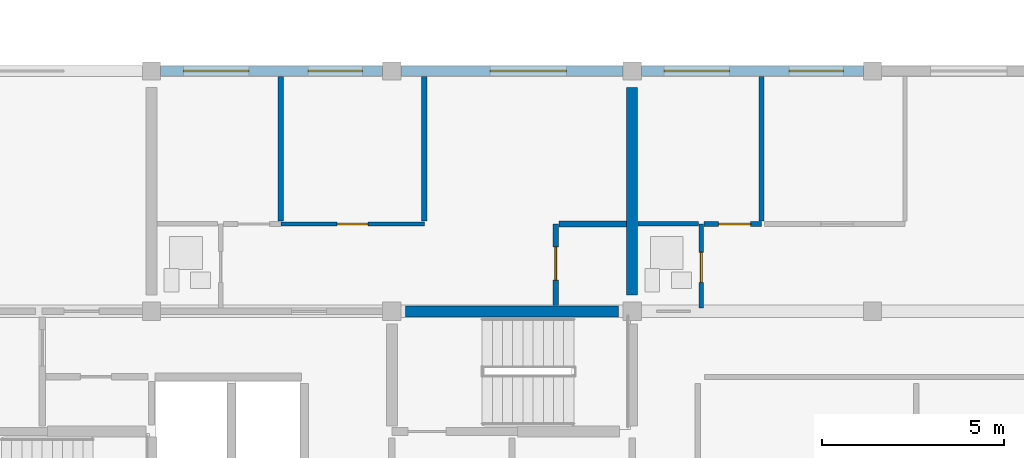
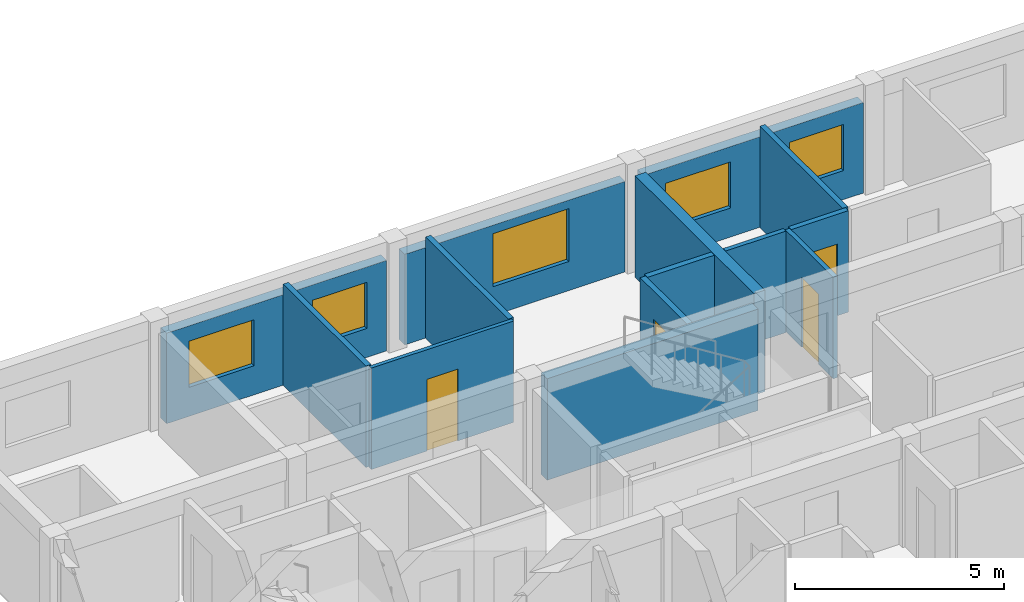
# One storey, part 36 of 46: 14 walls, 5 windows, 4 doors, 9 openings.
"""IFC4 building model written with IfcOpenShell, lengths in metres."""

from ifc_helpers import new_model, si_unit, direction, frame, frame_2d, origin, place, context, subcontext, project, spatial, rectangle, extrude, material, layer, layer_set, type_object, element, fill, save


model = new_model("IFC4")

# Units and contexts
model_context = context("Model", 3, precision=1e-05, world=origin(), true_north=direction((0.0, 1.0)))
body_context = subcontext(model_context, "Body", "Model", "MODEL_VIEW")
ifc_project = project(units=[si_unit("LENGTHUNIT", "METRE"), si_unit("AREAUNIT", "SQUARE_METRE"), si_unit("VOLUMEUNIT", "CUBIC_METRE"), si_unit("PLANEANGLEUNIT", "RADIAN"), si_unit("MASSUNIT", "GRAM", prefix="KILO")], contexts=[model_context])

# Site, building, storey
site_placement = place(None, origin())
site = spatial("IfcSite", under=ifc_project, at=site_placement, CompositionType="ELEMENT")
building_placement = place(site_placement, origin())
building = spatial("IfcBuilding", under=site, at=building_placement, Name="Kernevlak Ridge Housing Community", CompositionType="ELEMENT")
storey_placement = place(building_placement, frame((0.0, 0.0, 27.60009765625)))
storey = spatial("IfcBuildingStorey", under=building, at=storey_placement, Name="L08", CompositionType="ELEMENT", Elevation=27.60009765625)

# Wall, openings, windows
ifc_material_1 = material(Name="Concrete block masonry M10", Category="masonry")
ifc_layer_1 = layer(ifc_material_1, 0.280029296875, Name="Concrete block masonry M10")
ifc_layer_set_1 = layer_set([ifc_layer_1], Name="Concrete block masonry M10")
wall_type_1 = type_object("IfcWallType", Name="EW-03", PredefinedType="STANDARD", material=ifc_layer_set_1)
wall_1_placement = place(storey_placement, frame((126.25, 102.39990234375, 0.0), z_axis=(0.0, 0.0, 1.0), x_axis=(1.0, 0.0, 0.0)))
wall_1 = element("IfcWall", 1, at=wall_1_placement, inside=storey, type_object=wall_type_1, Name="Exterior wall EW-03 L08 425", PredefinedType="STANDARD", context=body_context, shape_type="SweptSolid", body=[
    extrude(rectangle(XDim=6.10009765625, YDim=0.280029296875, at=frame_2d((3.050048828125, 0.0))), origin(), (0.0, 0.0, 1.0), 2.64990234375),
])
opening_1_placement = place(wall_1_placement, frame((0.625, 0.0, 0.85009765625)))
opening_1 = element("IfcOpeningElement", 2, at=opening_1_placement, cuts=wall_1, Name="Opening WT-03", PredefinedType="OPENING", context=body_context, shape_type="SweptSolid", body=[
    extrude(rectangle(XDim=1.800048828125, YDim=1.35009765625, at=frame_2d((0.89990234375, 0.675048828125))), frame((0.0, 0.14990234375, 0.0), z_axis=(0.0, -1.0, 0.0), x_axis=(1.0, 0.0, 0.0)), (0.0, 0.0, 1.0), 0.300048828125),
])
opening_2_placement = place(wall_1_placement, frame((4.050048828125, 0.0, 0.85009765625)))
opening_2 = element("IfcOpeningElement", 3, at=opening_2_placement, cuts=wall_1, Name="Opening WT-02", PredefinedType="OPENING", context=body_context, shape_type="SweptSolid", body=[
    extrude(rectangle(XDim=1.5, YDim=1.35009765625, at=frame_2d((0.75, 0.675048828125))), frame((0.0, 0.14990234375, 0.0), z_axis=(0.0, -1.0, 0.0), x_axis=(1.0, 0.0, 0.0)), (0.0, 0.0, 1.0), 0.300048828125),
])
ifc_material_2 = material(Name="Aluminium EN AW-6060 anodised and laminated glass", Category="aluminium")
window_type_1 = type_object("IfcWindowType", Name="WT-02", PartitioningType="SINGLE_PANEL", PredefinedType="WINDOW", material=ifc_material_2)
window_1_placement = place(opening_2_placement, origin())
window_1 = element("IfcWindow", 4, at=window_1_placement, inside=storey, type_object=window_type_1, Name="Window WT-02 L08 330", OverallHeight=1.35009765625, OverallWidth=1.5, PartitioningType="SINGLE_PANEL", PredefinedType="WINDOW", context=body_context, shape_type="SweptSolid", body=[
    extrude(rectangle(XDim=1.5, YDim=1.35009765625, at=frame_2d((0.75, 0.675048828125))), frame((0.0, 0.030029296875, 0.0), z_axis=(0.0, -1.0, 0.0), x_axis=(1.0, 0.0, 0.0)), (0.0, 0.0, 1.0), 0.06005859375),
])
fill(opening_2, window_1)
window_type_2 = type_object("IfcWindowType", Name="WT-03", PartitioningType="SINGLE_PANEL", PredefinedType="WINDOW", material=ifc_material_2)
window_2_placement = place(opening_1_placement, origin())
window_2 = element("IfcWindow", 5, at=window_2_placement, inside=storey, type_object=window_type_2, Name="Window WT-03 L08 329", OverallHeight=1.35009765625, OverallWidth=1.800048828125, PartitioningType="SINGLE_PANEL", PredefinedType="WINDOW", context=body_context, shape_type="SweptSolid", body=[
    extrude(rectangle(XDim=1.800048828125, YDim=1.35009765625, at=frame_2d((0.89990234375, 0.675048828125))), frame((0.0, 0.030029296875, 0.0), z_axis=(0.0, -1.0, 0.0), x_axis=(1.0, 0.0, 0.0)), (0.0, 0.0, 1.0), 0.06005859375),
])
fill(opening_1, window_2)

# Wall, opening, window
wall_2_placement = place(storey_placement, frame((132.85009765625, 102.39990234375, 0.0), z_axis=(0.0, 0.0, 1.0), x_axis=(1.0, 0.0, 0.0)))
wall_2 = element("IfcWall", 6, at=wall_2_placement, inside=storey, type_object=wall_type_1, Name="Exterior wall EW-03 L08 426", PredefinedType="STANDARD", context=body_context, shape_type="SweptSolid", body=[
    extrude(rectangle(XDim=6.099853515625, YDim=0.280029296875, at=frame_2d((3.0498046875, 0.0))), origin(), (0.0, 0.0, 1.0), 2.64990234375),
])
opening_3_placement = place(wall_2_placement, frame((2.446044921875, 0.0, 0.85009765625)))
opening_3 = element("IfcOpeningElement", 7, at=opening_3_placement, cuts=wall_2, Name="Opening WT-05", PredefinedType="OPENING", context=body_context, shape_type="SweptSolid", body=[
    extrude(rectangle(XDim=2.10009765625, YDim=1.550048828125, at=frame_2d((1.050048828125, 0.77490234375))), frame((0.0, 0.14990234375, 0.0), z_axis=(0.0, -1.0, 0.0), x_axis=(1.0, 0.0, 0.0)), (0.0, 0.0, 1.0), 0.300048828125),
])
window_type_3 = type_object("IfcWindowType", Name="WT-05", PartitioningType="SINGLE_PANEL", PredefinedType="WINDOW", material=ifc_material_2)
window_3_placement = place(opening_3_placement, origin())
window_3 = element("IfcWindow", 8, at=window_3_placement, inside=storey, type_object=window_type_3, Name="Window WT-05 L08 331", OverallHeight=1.550048828125, OverallWidth=2.10009765625, PartitioningType="SINGLE_PANEL", PredefinedType="WINDOW", context=body_context, shape_type="SweptSolid", body=[
    extrude(rectangle(XDim=2.10009765625, YDim=1.550048828125, at=frame_2d((1.050048828125, 0.77490234375))), frame((0.0, 0.030029296875, 0.0), z_axis=(0.0, -1.0, 0.0), x_axis=(1.0, 0.0, 0.0)), (0.0, 0.0, 1.0), 0.06005859375),
])
fill(opening_3, window_3)

# Wall, openings, windows
wall_3_placement = place(storey_placement, frame((139.449951171875, 102.39990234375, 0.0), z_axis=(0.0, 0.0, 1.0), x_axis=(1.0, 0.0, 0.0)))
wall_3 = element("IfcWall", 9, at=wall_3_placement, inside=storey, type_object=wall_type_1, Name="Exterior wall EW-03 L08 427", PredefinedType="STANDARD", context=body_context, shape_type="SweptSolid", body=[
    extrude(rectangle(XDim=6.10009765625, YDim=0.280029296875, at=frame_2d((3.050048828125, 0.0))), origin(), (0.0, 0.0, 1.0), 2.64990234375),
])
opening_4_placement = place(wall_3_placement, frame((0.625, 0.0, 0.85009765625)))
opening_4 = element("IfcOpeningElement", 10, at=opening_4_placement, cuts=wall_3, Name="Opening WT-03", PredefinedType="OPENING", context=body_context, shape_type="SweptSolid", body=[
    extrude(rectangle(XDim=1.800048828125, YDim=1.35009765625, at=frame_2d((0.89990234375, 0.675048828125))), frame((0.0, 0.14990234375, 0.0), z_axis=(0.0, -1.0, 0.0), x_axis=(1.0, 0.0, 0.0)), (0.0, 0.0, 1.0), 0.300048828125),
])
opening_5_placement = place(wall_3_placement, frame((4.050048828125, 0.0, 0.85009765625)))
opening_5 = element("IfcOpeningElement", 11, at=opening_5_placement, cuts=wall_3, Name="Opening WT-02", PredefinedType="OPENING", context=body_context, shape_type="SweptSolid", body=[
    extrude(rectangle(XDim=1.5, YDim=1.35009765625, at=frame_2d((0.75, 0.675048828125))), frame((0.0, 0.14990234375, 0.0), z_axis=(0.0, -1.0, 0.0), x_axis=(1.0, 0.0, 0.0)), (0.0, 0.0, 1.0), 0.300048828125),
])
window_4_placement = place(opening_5_placement, origin())
window_4 = element("IfcWindow", 12, at=window_4_placement, inside=storey, type_object=window_type_1, Name="Window WT-02 L08 333", OverallHeight=1.35009765625, OverallWidth=1.5, PartitioningType="SINGLE_PANEL", PredefinedType="WINDOW", context=body_context, shape_type="SweptSolid", body=[
    extrude(rectangle(XDim=1.5, YDim=1.35009765625, at=frame_2d((0.75, 0.675048828125))), frame((0.0, 0.030029296875, 0.0), z_axis=(0.0, -1.0, 0.0), x_axis=(1.0, 0.0, 0.0)), (0.0, 0.0, 1.0), 0.06005859375),
])
fill(opening_5, window_4)
window_5_placement = place(opening_4_placement, origin())
window_5 = element("IfcWindow", 13, at=window_5_placement, inside=storey, type_object=window_type_2, Name="Window WT-03 L08 332", OverallHeight=1.35009765625, OverallWidth=1.800048828125, PartitioningType="SINGLE_PANEL", PredefinedType="WINDOW", context=body_context, shape_type="SweptSolid", body=[
    extrude(rectangle(XDim=1.800048828125, YDim=1.35009765625, at=frame_2d((0.89990234375, 0.675048828125))), frame((0.0, 0.030029296875, 0.0), z_axis=(0.0, -1.0, 0.0), x_axis=(1.0, 0.0, 0.0)), (0.0, 0.0, 1.0), 0.06005859375),
])
fill(opening_4, window_5)

# Walls
ifc_layer_2 = layer(ifc_material_1, 0.14501953125, Name="Concrete block masonry M10")
ifc_layer_set_2 = layer_set([ifc_layer_2], Name="Concrete block masonry M10")
wall_type_2 = type_object("IfcWallType", Name="PW-03", PredefinedType="PARTITIONING", material=ifc_layer_set_2)
wall_4_placement = place(storey_placement, frame((129.550048828125, 98.282470703125, 0.0), z_axis=(0.0, 0.0, 1.0), x_axis=(0.0, 1.0, 0.0)))
element("IfcWall", 14, at=wall_4_placement, inside=storey, type_object=wall_type_2, Name="Interior wall PW-03 WAL-INT-L08-1690", PredefinedType="PARTITIONING", context=body_context, shape_type="SweptSolid", body=[
    extrude(rectangle(XDim=3.967529296875, YDim=0.14501953125, at=frame_2d((1.98388671875, 0.0))), origin(), (0.0, 0.0, 1.0), 2.969970703125),
])
wall_5_placement = place(storey_placement, frame((133.491943359375, 98.280029296875, 0.0), z_axis=(0.0, 0.0, 1.0), x_axis=(0.0, 1.0, 0.0)))
element("IfcWall", 15, at=wall_5_placement, inside=storey, type_object=wall_type_2, Name="Interior wall PW-03 WAL-INT-L08-1692", PredefinedType="PARTITIONING", context=body_context, shape_type="SweptSolid", body=[
    extrude(rectangle(XDim=3.969970703125, YDim=0.14501953125, at=frame_2d((1.98486328125, 0.0))), origin(), (0.0, 0.0, 1.0), 2.969970703125),
])

# Wall, opening, door
wall_6_placement = place(storey_placement, frame((141.172607421875, 98.199951171875, 0.0), z_axis=(0.0, 0.0, 1.0), x_axis=(1.0, 0.0, 0.0)))
wall_6 = element("IfcWall", 16, at=wall_6_placement, inside=storey, type_object=wall_type_2, Name="Interior wall PW-03 WAL-INT-L08-1698", PredefinedType="PARTITIONING", context=body_context, shape_type="SweptSolid", body=[
    extrude(rectangle(XDim=1.577392578125, YDim=0.14501953125, at=frame_2d((0.78857421875, 0.0))), origin(), (0.0, 0.0, 1.0), 2.969970703125),
])
opening_6_placement = place(wall_6_placement, frame((0.39990234375, 0.0, 0.0)))
opening_6 = element("IfcOpeningElement", 17, at=opening_6_placement, cuts=wall_6, Name="Opening D860", PredefinedType="OPENING", context=body_context, shape_type="SweptSolid", body=[
    extrude(rectangle(XDim=0.8798828125, YDim=2.10009765625, at=frame_2d((0.43994140625, 1.050048828125))), frame((0.0, 0.08251953125, 0.0), z_axis=(0.0, -1.0, 0.0), x_axis=(1.0, 0.0, 0.0)), (0.0, 0.0, 1.0), 0.1650390625),
])
ifc_material_3 = material(Name="Hardwood timber leaf", Category="wood")
door_type_1 = type_object("IfcDoorType", Name="DT-25", OperationType="NOTDEFINED", PredefinedType="DOOR", material=ifc_material_3)
door_1_placement = place(opening_6_placement, origin())
door_1 = element("IfcDoor", 18, at=door_1_placement, inside=storey, type_object=door_type_1, Name="Flat B0823 bedroom door D860", OperationType="SINGLE_SWING_RIGHT", OverallHeight=2.10009765625, OverallWidth=0.8798828125, PredefinedType="DOOR", context=body_context, shape_type="SweptSolid", body=[
    extrude(rectangle(XDim=0.8798828125, YDim=2.10009765625, at=frame_2d((0.43994140625, 1.050048828125))), frame((0.0, 0.02490234375, 0.0), z_axis=(0.0, -1.0, 0.0), x_axis=(1.0, 0.0, 0.0)), (0.0, 0.0, 1.0), 0.050048828125),
])
fill(opening_6, door_1)

# Wall
wall_7_placement = place(storey_placement, frame((142.75, 98.282470703125, 0.0), z_axis=(0.0, 0.0, 1.0), x_axis=(0.0, 1.0, 0.0)))
element("IfcWall", 19, at=wall_7_placement, inside=storey, type_object=wall_type_2, Name="Interior wall PW-03 WAL-INT-L08-1699", PredefinedType="PARTITIONING", context=body_context, shape_type="SweptSolid", body=[
    extrude(rectangle(XDim=3.967529296875, YDim=0.14501953125, at=frame_2d((1.98388671875, 0.0))), origin(), (0.0, 0.0, 1.0), 2.969970703125),
])

# Wall, opening, door
ifc_material_4 = material(Name="Gypsum plasterboard EN 520", Category="gypsum")
ifc_layer_3 = layer(ifc_material_4, 0.125, Name="Gypsum plasterboard EN 520")
ifc_layer_set_3 = layer_set([ifc_layer_3], Name="Gypsum plasterboard EN 520")
wall_type_3 = type_object("IfcWallType", Name="PW-04", PredefinedType="PARTITIONING", material=ifc_layer_set_3)
wall_8_placement = place(storey_placement, frame((141.10009765625, 95.8974609375, 0.0), z_axis=(0.0, 0.0, 1.0), x_axis=(0.0, 1.0, 0.0)))
wall_8 = element("IfcWall", 20, at=wall_8_placement, inside=storey, type_object=wall_type_3, Name="Interior wall PW-04 WAL-INT-L08-1694", PredefinedType="PARTITIONING", context=body_context, shape_type="SweptSolid", body=[
    extrude(rectangle(XDim=2.302490234375, YDim=0.125, at=frame_2d((1.1513671875, 0.0))), origin(), (0.0, 0.0, 1.0), 2.969970703125),
])
opening_7_placement = place(wall_8_placement, frame((0.699951171875, 0.0, 0.0)))
opening_7 = element("IfcOpeningElement", 21, at=opening_7_placement, cuts=wall_8, Name="Opening D858", PredefinedType="OPENING", context=body_context, shape_type="SweptSolid", body=[
    extrude(rectangle(XDim=0.820068359375, YDim=2.050048828125, at=frame_2d((0.41015625, 1.02490234375))), frame((0.0, 0.072509765625, 0.0), z_axis=(0.0, -1.0, 0.0), x_axis=(1.0, 0.0, 0.0)), (0.0, 0.0, 1.0), 0.14501953125),
])
ifc_material_5 = material(Name="Hardwood timber moisture-resistant leaf", Category="wood")
door_type_2 = type_object("IfcDoorType", Name="DT-30", OperationType="NOTDEFINED", PredefinedType="DOOR", material=ifc_material_5)
door_2_placement = place(opening_7_placement, origin())
door_2 = element("IfcDoor", 22, at=door_2_placement, inside=storey, type_object=door_type_2, Name="Flat B0823 bathroom door D858", OperationType="SINGLE_SWING_RIGHT", OverallHeight=2.050048828125, OverallWidth=0.820068359375, PredefinedType="DOOR", context=body_context, shape_type="SweptSolid", body=[
    extrude(rectangle(XDim=0.820068359375, YDim=2.050048828125, at=frame_2d((0.41015625, 1.02490234375))), frame((0.0, 0.02490234375, 0.0), z_axis=(0.0, -1.0, 0.0), x_axis=(1.0, 0.0, 0.0)), (0.0, 0.0, 1.0), 0.050048828125),
])
fill(opening_7, door_2)

# Wall
wall_9_placement = place(storey_placement, frame((139.360107421875, 98.199951171875, 0.0), z_axis=(0.0, 0.0, 1.0), x_axis=(1.0, 0.0, 0.0)))
element("IfcWall", 23, at=wall_9_placement, inside=storey, type_object=wall_type_3, Name="Interior wall PW-04 WAL-INT-L08-1695", PredefinedType="PARTITIONING", context=body_context, shape_type="SweptSolid", body=[
    extrude(rectangle(XDim=1.659912109375, YDim=0.125, at=frame_2d((0.830078125, 0.0))), origin(), (0.0, 0.0, 1.0), 2.969970703125),
])

# Wall, opening, door
ifc_layer_4 = layer(ifc_material_4, 0.155029296875, Name="Gypsum plasterboard EN 520")
ifc_layer_set_4 = layer_set([ifc_layer_4], Name="Gypsum plasterboard EN 520")
wall_type_4 = type_object("IfcWallType", Name="PW-05", PredefinedType="PARTITIONING", material=ifc_layer_set_4)
wall_10_placement = place(storey_placement, frame((137.10009765625, 95.9599609375, 0.0), z_axis=(0.0, 0.0, 1.0), x_axis=(0.0, 1.0, 0.0)))
wall_10 = element("IfcWall", 24, at=wall_10_placement, inside=storey, type_object=wall_type_4, Name="Interior wall PW-05 WAL-INT-L08-1687", PredefinedType="PARTITIONING", context=body_context, shape_type="SweptSolid", body=[
    extrude(rectangle(XDim=2.239990234375, YDim=0.155029296875, at=frame_2d((1.1201171875, 0.0))), origin(), (0.0, 0.0, 1.0), 2.969970703125),
])
opening_8_placement = place(wall_10_placement, frame((0.699951171875, 0.0, 0.0)))
opening_8 = element("IfcOpeningElement", 25, at=opening_8_placement, cuts=wall_10, Name="Opening D854", PredefinedType="OPENING", context=body_context, shape_type="SweptSolid", body=[
    extrude(rectangle(XDim=0.909912109375, YDim=2.139892578125, at=frame_2d((0.455078125, 1.06982421875))), frame((0.0, 0.08740234375, 0.0), z_axis=(0.0, -1.0, 0.0), x_axis=(1.0, 0.0, 0.0)), (0.0, 0.0, 1.0), 0.175048828125),
])
door_type_3 = type_object("IfcDoorType", Name="DT-31", OperationType="NOTDEFINED", PredefinedType="DOOR", material=ifc_material_3)
door_3_placement = place(opening_8_placement, origin())
door_3 = element("IfcDoor", 26, at=door_3_placement, inside=storey, type_object=door_type_3, Name="Flat B0822 kitchen door D854", OperationType="SINGLE_SWING_RIGHT", OverallHeight=2.139892578125, OverallWidth=0.909912109375, PredefinedType="DOOR", context=body_context, shape_type="SweptSolid", body=[
    extrude(rectangle(XDim=0.909912109375, YDim=2.139892578125, at=frame_2d((0.455078125, 1.06982421875))), frame((0.0, 0.02490234375, 0.0), z_axis=(0.0, -1.0, 0.0), x_axis=(1.0, 0.0, 0.0)), (0.0, 0.0, 1.0), 0.050048828125),
])
fill(opening_8, door_3)

# Wall
wall_11_placement = place(storey_placement, frame((137.1875, 98.199951171875, 0.0), z_axis=(0.0, 0.0, 1.0), x_axis=(1.0, 0.0, 0.0)))
element("IfcWall", 27, at=wall_11_placement, inside=storey, type_object=wall_type_4, Name="Interior wall PW-05 WAL-INT-L08-1688", PredefinedType="PARTITIONING", context=body_context, shape_type="SweptSolid", body=[
    extrude(rectangle(XDim=1.8525390625, YDim=0.155029296875, at=frame_2d((0.92626953125, 0.0))), origin(), (0.0, 0.0, 1.0), 2.969970703125),
])

# Wall, opening, door
ifc_layer_5 = layer(ifc_material_4, 0.10498046875, Name="Gypsum plasterboard EN 520")
ifc_layer_set_5 = layer_set([ifc_layer_5], Name="Gypsum plasterboard EN 520")
wall_type_5 = type_object("IfcWallType", Name="PW-06", PredefinedType="PARTITIONING", material=ifc_layer_set_5)
wall_12_placement = place(storey_placement, frame((129.550048828125, 98.199951171875, 0.0), z_axis=(0.0, 0.0, 1.0), x_axis=(1.0, 0.0, 0.0)))
wall_12 = element("IfcWall", 28, at=wall_12_placement, inside=storey, type_object=wall_type_5, Name="Interior wall PW-06 WAL-INT-L08-1691", PredefinedType="PARTITIONING", context=body_context, shape_type="SweptSolid", body=[
    extrude(rectangle(XDim=3.94189453125, YDim=0.10498046875, at=frame_2d((1.970947265625, 0.0))), origin(), (0.0, 0.0, 1.0), 2.969970703125),
])
opening_9_placement = place(wall_12_placement, frame((1.5458984375, 0.0, 0.0)))
opening_9 = element("IfcOpeningElement", 29, at=opening_9_placement, cuts=wall_12, Name="Opening D856", PredefinedType="OPENING", context=body_context, shape_type="SweptSolid", body=[
    extrude(rectangle(XDim=0.85009765625, YDim=2.10009765625, at=frame_2d((0.425048828125, 1.050048828125))), frame((0.0, 0.0625, 0.0), z_axis=(0.0, -1.0, 0.0), x_axis=(1.0, 0.0, 0.0)), (0.0, 0.0, 1.0), 0.125),
])
door_type_4 = type_object("IfcDoorType", Name="DT-03", OperationType="NOTDEFINED", PredefinedType="DOOR", material=ifc_material_3)
door_4_placement = place(opening_9_placement, origin())
door_4 = element("IfcDoor", 30, at=door_4_placement, inside=storey, type_object=door_type_4, Name="Flat B0822 bedroom door D856", OperationType="SINGLE_SWING_RIGHT", OverallHeight=2.10009765625, OverallWidth=0.85009765625, PredefinedType="DOOR", context=body_context, shape_type="SweptSolid", body=[
    extrude(rectangle(XDim=0.85009765625, YDim=2.10009765625, at=frame_2d((0.425048828125, 1.050048828125))), frame((0.0, 0.02490234375, 0.0), z_axis=(0.0, -1.0, 0.0), x_axis=(1.0, 0.0, 0.0)), (0.0, 0.0, 1.0), 0.050048828125),
])
fill(opening_9, door_4)

# Walls
ifc_material_6 = material(Name="Concrete C40/50", Category="concrete")
ifc_layer_6 = layer(ifc_material_6, 0.300048828125, Name="Concrete C40/50")
ifc_layer_set_6 = layer_set([ifc_layer_6], Name="Concrete C40/50")
wall_type_6 = type_object("IfcWallType", Name="SW-02", PredefinedType="SHEAR", material=ifc_layer_set_6)
wall_13_placement = place(storey_placement, frame((132.97998046875, 95.800048828125, 0.0), z_axis=(0.0, 0.0, 1.0), x_axis=(1.0, 0.0, 0.0)))
element("IfcWall", 31, at=wall_13_placement, inside=storey, type_object=wall_type_6, Name="Shear wall SW-02 Block B L08 294", PredefinedType="SHEAR", context=body_context, shape_type="SweptSolid", body=[
    extrude(rectangle(XDim=5.840087890625, YDim=0.300048828125, at=frame_2d((2.919921875, 0.0))), origin(), (0.0, 0.0, 1.0), 2.969970703125),
])
wall_14_placement = place(storey_placement, frame((139.199951171875, 96.25, 0.0), z_axis=(0.0, 0.0, 1.0), x_axis=(0.0, 1.0, 0.0)))
element("IfcWall", 32, at=wall_14_placement, inside=storey, type_object=wall_type_6, Name="Shear wall SW-02 Block B L08 300", PredefinedType="SHEAR", context=body_context, shape_type="SweptSolid", body=[
    extrude(rectangle(XDim=5.699951171875, YDim=0.300048828125, at=frame_2d((2.85009765625, 0.0))), origin(), (0.0, 0.0, 1.0), 2.969970703125),
])

save(model, "model.ifc")
